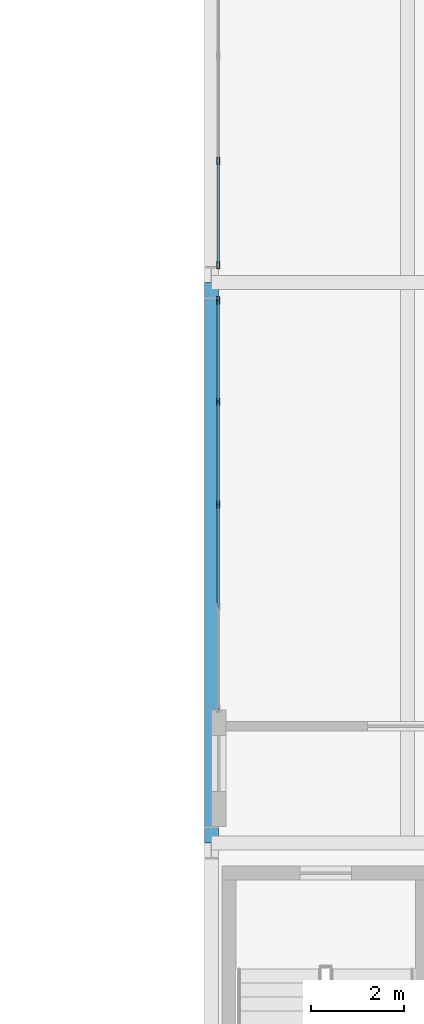
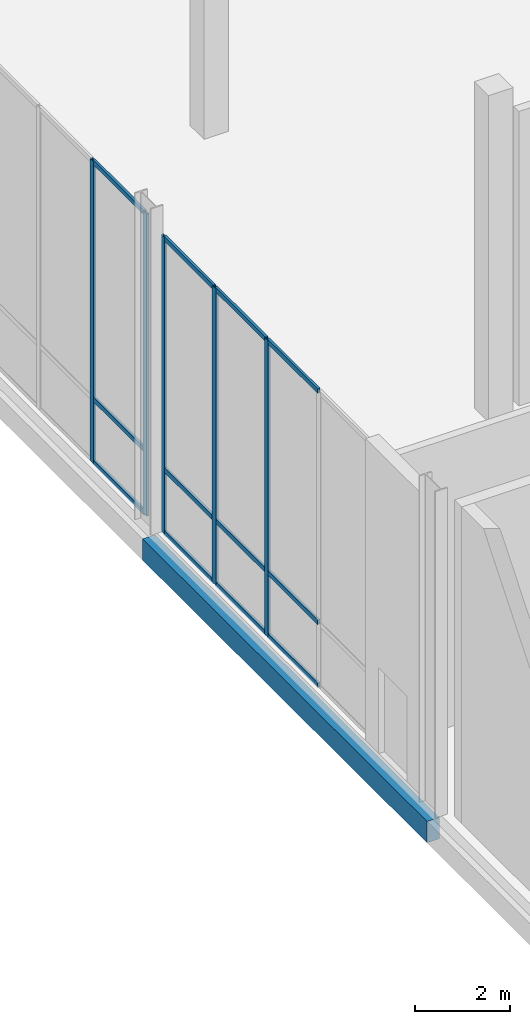
# One storey, part 40 of 131: 17 members, 1 beam, 2 elements without a shape of their own.
"""IFC4 building model written with IfcOpenShell, lengths in metres."""

from ifc_helpers import new_model, si_unit, direction, frame, origin, origin_2d, place, context, subcontext, project, spatial, rectangle, hollow_rectangle, extrude, material, material_profile, profile_set, type_object, element, aggregate, save


model = new_model("IFC4")

# Units and contexts
model_context = context("Model", 3, precision=1e-05, world=origin(), true_north=direction((0.0, 1.0)))
body_context = subcontext(model_context, "Body", "Model", "MODEL_VIEW")
ifc_project = project(units=[si_unit("LENGTHUNIT", "METRE"), si_unit("AREAUNIT", "SQUARE_METRE"), si_unit("VOLUMEUNIT", "CUBIC_METRE"), si_unit("PLANEANGLEUNIT", "RADIAN"), si_unit("MASSUNIT", "GRAM", prefix="KILO")], contexts=[model_context])

# Site, building, storey
site_placement = place(None, origin())
site = spatial("IfcSite", under=ifc_project, at=site_placement, CompositionType="ELEMENT")
building_placement = place(site_placement, origin())
building = spatial("IfcBuilding", under=site, at=building_placement, Name="Veltarok Museum of Natural Sciences", CompositionType="ELEMENT")
storey_placement = place(building_placement, origin())
storey = spatial("IfcBuildingStorey", under=building, at=storey_placement, Name="L00", CompositionType="ELEMENT", Elevation=0.0)

# Curtain wall, members
ifc_material_1 = material(Name="Low-iron triple insulated glass", Category="glass")
curtain_wall_type_1 = type_object("IfcCurtainWallType", Name="Curtain Wall System CW-V5CW-L00-3-880x763 (CW-V5CW L00 880x763cm)", PredefinedType="NOTDEFINED", material=ifc_material_1)
curtain_wall_1_placement = place(storey_placement, origin())
curtain_wall_1 = element("IfcCurtainWall", 1, at=curtain_wall_1_placement, inside=storey, type_object=curtain_wall_type_1, Name="Curtain Wall CW-V5CW-L00-3-880x763 CW-0171", PredefinedType="NOTDEFINED")
ifc_material_2 = material(Name="Thermally broken anodised aluminium", Category="aluminium")
ifc_material_profile_1 = material_profile(ifc_material_2, hollow_rectangle(XDim=0.06005859375, YDim=0.1201171875, WallThickness=0.0048828125, at=origin_2d()), Name="CW TRANSOM 60x120x5")
ifc_profile_set_1 = profile_set([ifc_material_profile_1], Name="Thermally broken anodised aluminium")
member_type_1 = type_object("IfcMemberType", Name="Curtain Wall Horizontal Transom 60x120x5", PredefinedType="USERDEFINED", material=ifc_profile_set_1)
member_1_placement = place(storey_placement, frame((132.550048828125, 41.080078125, 0.028076171875), z_axis=(0.0, 1.0, 0.0), x_axis=(-1.0, 0.0, 0.0)))
member_1 = element("IfcMember", 2, at=member_1_placement, type_object=member_type_1, Name="CW-V5CW-L00-3-880x763 transom 2.1", ObjectType="TRANSOM", PredefinedType="USERDEFINED", context=body_context, shape_type="SweptSolid", body=[
    extrude(hollow_rectangle(XDim=0.06005859375, YDim=0.1201171875, WallThickness=0.0048828125, at=origin_2d()), origin(), (0.0, 0.0, 1.0), 2.139892578125),
])
member_2_placement = place(storey_placement, frame((132.550048828125, 41.080078125, 1.64794921875), z_axis=(0.0, 1.0, 0.0), x_axis=(-1.0, 0.0, 0.0)))
member_2 = element("IfcMember", 3, at=member_2_placement, type_object=member_type_1, Name="CW-V5CW-L00-3-880x763 transom 2.2", ObjectType="TRANSOM", PredefinedType="USERDEFINED", context=body_context, shape_type="SweptSolid", body=[
    extrude(hollow_rectangle(XDim=0.06005859375, YDim=0.1201171875, WallThickness=0.0048828125, at=origin_2d()), origin(), (0.0, 0.0, 1.0), 2.139892578125),
])
member_3_placement = place(storey_placement, frame((132.550048828125, 41.080078125, 7.60009765625), z_axis=(0.0, 1.0, 0.0), x_axis=(-1.0, 0.0, 0.0)))
member_3 = element("IfcMember", 4, at=member_3_placement, type_object=member_type_1, Name="CW-V5CW-L00-3-880x763 transom 2.3", ObjectType="TRANSOM", PredefinedType="USERDEFINED", context=body_context, shape_type="SweptSolid", body=[
    extrude(hollow_rectangle(XDim=0.06005859375, YDim=0.1201171875, WallThickness=0.0048828125, at=origin_2d()), origin(), (0.0, 0.0, 1.0), 2.139892578125),
])
member_4_placement = place(storey_placement, frame((132.550048828125, 43.280029296875, 0.028076171875), z_axis=(0.0, 1.0, 0.0), x_axis=(-1.0, 0.0, 0.0)))
member_4 = element("IfcMember", 5, at=member_4_placement, type_object=member_type_1, Name="CW-V5CW-L00-3-880x763 transom 3.1", ObjectType="TRANSOM", PredefinedType="USERDEFINED", context=body_context, shape_type="SweptSolid", body=[
    extrude(hollow_rectangle(XDim=0.06005859375, YDim=0.1201171875, WallThickness=0.0048828125, at=origin_2d()), origin(), (0.0, 0.0, 1.0), 2.139892578125),
])
member_5_placement = place(storey_placement, frame((132.550048828125, 43.280029296875, 1.64794921875), z_axis=(0.0, 1.0, 0.0), x_axis=(-1.0, 0.0, 0.0)))
member_5 = element("IfcMember", 6, at=member_5_placement, type_object=member_type_1, Name="CW-V5CW-L00-3-880x763 transom 3.2", ObjectType="TRANSOM", PredefinedType="USERDEFINED", context=body_context, shape_type="SweptSolid", body=[
    extrude(hollow_rectangle(XDim=0.06005859375, YDim=0.1201171875, WallThickness=0.0048828125, at=origin_2d()), origin(), (0.0, 0.0, 1.0), 2.139892578125),
])
member_6_placement = place(storey_placement, frame((132.550048828125, 43.280029296875, 7.60009765625), z_axis=(0.0, 1.0, 0.0), x_axis=(-1.0, 0.0, 0.0)))
member_6 = element("IfcMember", 7, at=member_6_placement, type_object=member_type_1, Name="CW-V5CW-L00-3-880x763 transom 3.3", ObjectType="TRANSOM", PredefinedType="USERDEFINED", context=body_context, shape_type="SweptSolid", body=[
    extrude(hollow_rectangle(XDim=0.06005859375, YDim=0.1201171875, WallThickness=0.0048828125, at=origin_2d()), origin(), (0.0, 0.0, 1.0), 2.139892578125),
])
member_7_placement = place(storey_placement, frame((132.550048828125, 45.47998046875, 0.028076171875), z_axis=(0.0, 1.0, 0.0), x_axis=(-1.0, 0.0, 0.0)))
member_7 = element("IfcMember", 8, at=member_7_placement, type_object=member_type_1, Name="CW-V5CW-L00-3-880x763 transom 4.1", ObjectType="TRANSOM", PredefinedType="USERDEFINED", context=body_context, shape_type="SweptSolid", body=[
    extrude(hollow_rectangle(XDim=0.06005859375, YDim=0.1201171875, WallThickness=0.0048828125, at=origin_2d()), origin(), (0.0, 0.0, 1.0), 2.110107421875),
])
member_8_placement = place(storey_placement, frame((132.550048828125, 45.47998046875, 1.64794921875), z_axis=(0.0, 1.0, 0.0), x_axis=(-1.0, 0.0, 0.0)))
member_8 = element("IfcMember", 9, at=member_8_placement, type_object=member_type_1, Name="CW-V5CW-L00-3-880x763 transom 4.2", ObjectType="TRANSOM", PredefinedType="USERDEFINED", context=body_context, shape_type="SweptSolid", body=[
    extrude(hollow_rectangle(XDim=0.06005859375, YDim=0.1201171875, WallThickness=0.0048828125, at=origin_2d()), origin(), (0.0, 0.0, 1.0), 2.110107421875),
])
member_9_placement = place(storey_placement, frame((132.550048828125, 45.47998046875, 7.60009765625), z_axis=(0.0, 1.0, 0.0), x_axis=(-1.0, 0.0, 0.0)))
member_9 = element("IfcMember", 10, at=member_9_placement, type_object=member_type_1, Name="CW-V5CW-L00-3-880x763 transom 4.3", ObjectType="TRANSOM", PredefinedType="USERDEFINED", context=body_context, shape_type="SweptSolid", body=[
    extrude(hollow_rectangle(XDim=0.06005859375, YDim=0.1201171875, WallThickness=0.0048828125, at=origin_2d()), origin(), (0.0, 0.0, 1.0), 2.110107421875),
])

curtain_wall_type_2 = type_object("IfcCurtainWallType", Name="Curtain Wall System CW-V5CW-L00-0-1130x778 (CW-V5CW L00 1130x778cm)", PredefinedType="NOTDEFINED", material=ifc_material_1)
curtain_wall_2_placement = place(storey_placement, origin())
curtain_wall_2 = element("IfcCurtainWall", 11, at=curtain_wall_2_placement, inside=storey, type_object=curtain_wall_type_2, Name="Curtain Wall CW-V5CW-L00-0-1130x778 CW-0172", PredefinedType="NOTDEFINED")
member_10_placement = place(storey_placement, frame((132.550048828125, 48.409912109375, 0.028076171875), z_axis=(0.0, 1.0, 0.0), x_axis=(-1.0, 0.0, 0.0)))
member_10 = element("IfcMember", 12, at=member_10_placement, type_object=member_type_1, Name="CW-V5CW-L00-0-1130x778 transom 1.1", ObjectType="TRANSOM", PredefinedType="USERDEFINED", context=body_context, shape_type="SweptSolid", body=[
    extrude(hollow_rectangle(XDim=0.06005859375, YDim=0.1201171875, WallThickness=0.0048828125, at=origin_2d()), origin(), (0.0, 0.0, 1.0), 2.170166015625),
])
member_11_placement = place(storey_placement, frame((132.550048828125, 48.409912109375, 1.64794921875), z_axis=(0.0, 1.0, 0.0), x_axis=(-1.0, 0.0, 0.0)))
member_11 = element("IfcMember", 13, at=member_11_placement, type_object=member_type_1, Name="CW-V5CW-L00-0-1130x778 transom 1.2", ObjectType="TRANSOM", PredefinedType="USERDEFINED", context=body_context, shape_type="SweptSolid", body=[
    extrude(hollow_rectangle(XDim=0.06005859375, YDim=0.1201171875, WallThickness=0.0048828125, at=origin_2d()), origin(), (0.0, 0.0, 1.0), 2.170166015625),
])
member_12_placement = place(storey_placement, frame((132.550048828125, 48.409912109375, 7.75), z_axis=(0.0, 1.0, 0.0), x_axis=(-1.0, 0.0, 0.0)))
member_12 = element("IfcMember", 14, at=member_12_placement, type_object=member_type_1, Name="CW-V5CW-L00-0-1130x778 transom 1.3", ObjectType="TRANSOM", PredefinedType="USERDEFINED", context=body_context, shape_type="SweptSolid", body=[
    extrude(hollow_rectangle(XDim=0.06005859375, YDim=0.1201171875, WallThickness=0.0048828125, at=origin_2d()), origin(), (0.0, 0.0, 1.0), 2.170166015625),
])

# Member
ifc_material_profile_2 = material_profile(ifc_material_2, hollow_rectangle(XDim=0.06005859375, YDim=0.159912109375, WallThickness=0.0048828125, at=origin_2d()), Name="CW MULLION 60x160x5")
ifc_profile_set_2 = profile_set([ifc_material_profile_2], Name="Thermally broken anodised aluminium")
member_type_2 = type_object("IfcMemberType", Name="Curtain Wall Vertical Mullion 60x160x5", PredefinedType="MULLION", material=ifc_profile_set_2)
member_13_placement = place(storey_placement, frame((132.550048828125, 43.25, -0.001953125), z_axis=(0.0, 0.0, 1.0), x_axis=(-1.0, 0.0, 0.0)))
member_13 = element("IfcMember", 15, at=member_13_placement, type_object=member_type_2, Name="CW-V5CW-L00-3-880x763 mullion 3", PredefinedType="MULLION", context=body_context, shape_type="SweptSolid", body=[
    extrude(hollow_rectangle(XDim=0.06005859375, YDim=0.159912109375, WallThickness=0.0048828125, at=origin_2d()), origin(), (0.0, 0.0, 1.0), 7.6318359375),
])

member_14_placement = place(storey_placement, frame((132.550048828125, 45.449951171875, -0.001953125), z_axis=(0.0, 0.0, 1.0), x_axis=(-1.0, 0.0, 0.0)))
member_14 = element("IfcMember", 16, at=member_14_placement, type_object=member_type_2, Name="CW-V5CW-L00-3-880x763 mullion 4", PredefinedType="MULLION", context=body_context, shape_type="SweptSolid", body=[
    extrude(hollow_rectangle(XDim=0.06005859375, YDim=0.159912109375, WallThickness=0.0048828125, at=origin_2d()), origin(), (0.0, 0.0, 1.0), 7.6318359375),
])

member_15_placement = place(storey_placement, frame((132.550048828125, 47.6201171875, -0.001953125), z_axis=(0.0, 0.0, 1.0), x_axis=(-1.0, 0.0, 0.0)))
member_15 = element("IfcMember", 17, at=member_15_placement, type_object=member_type_2, Name="CW-V5CW-L00-3-880x763 mullion 5", PredefinedType="MULLION", context=body_context, shape_type="SweptSolid", body=[
    extrude(hollow_rectangle(XDim=0.06005859375, YDim=0.159912109375, WallThickness=0.0048828125, at=origin_2d()), origin(), (0.0, 0.0, 1.0), 7.6318359375),
])

aggregate(curtain_wall_1, [member_13, member_14, member_15, member_1, member_2, member_3, member_4, member_5, member_6, member_7, member_8, member_9])

member_16_placement = place(storey_placement, frame((132.550048828125, 48.3798828125, -0.001953125), z_axis=(0.0, 0.0, 1.0), x_axis=(-1.0, 0.0, 0.0)))
member_16 = element("IfcMember", 18, at=member_16_placement, type_object=member_type_2, Name="CW-V5CW-L00-0-1130x778 mullion 1", PredefinedType="MULLION", context=body_context, shape_type="SweptSolid", body=[
    extrude(hollow_rectangle(XDim=0.06005859375, YDim=0.159912109375, WallThickness=0.0048828125, at=origin_2d()), origin(), (0.0, 0.0, 1.0), 7.781982421875),
])

member_17_placement = place(storey_placement, frame((132.550048828125, 50.610107421875, -0.001953125), z_axis=(0.0, 0.0, 1.0), x_axis=(-1.0, 0.0, 0.0)))
member_17 = element("IfcMember", 19, at=member_17_placement, type_object=member_type_2, Name="CW-V5CW-L00-0-1130x778 mullion 2", PredefinedType="MULLION", context=body_context, shape_type="SweptSolid", body=[
    extrude(hollow_rectangle(XDim=0.06005859375, YDim=0.159912109375, WallThickness=0.0048828125, at=origin_2d()), origin(), (0.0, 0.0, 1.0), 7.781982421875),
])

aggregate(curtain_wall_2, [member_16, member_17, member_10, member_11, member_12])

# Beam
ifc_material_3 = material(Name="Precast concrete C40/50", Category="concrete")
ifc_material_profile_3 = material_profile(ifc_material_3, rectangle(XDim=0.300048828125, YDim=0.550048828125, at=origin_2d()), Name="RC 300x550")
ifc_profile_set_3 = profile_set([ifc_material_profile_3], Name="Precast concrete C40/50")
beam_type = type_object("IfcBeamType", Name="East Wing Precast Spandrel RC 300x550", PredefinedType="SPANDREL", material=ifc_profile_set_3)
beam_placement = place(storey_placement, frame((132.39990234375, 36.0, -0.574951171875), z_axis=(0.0, 1.0, 0.0), x_axis=(-1.0, 0.0, 0.0)))
element("IfcBeam", 20, at=beam_placement, inside=storey, type_object=beam_type, Name="Beam BM-SP02 L00 16/E-F", PredefinedType="SPANDREL", context=body_context, shape_type="SweptSolid", body=[
    extrude(rectangle(XDim=0.300048828125, YDim=0.550048828125, at=origin_2d()), origin(), (0.0, 0.0, 1.0), 12.0),
])

save(model, "model.ifc")
